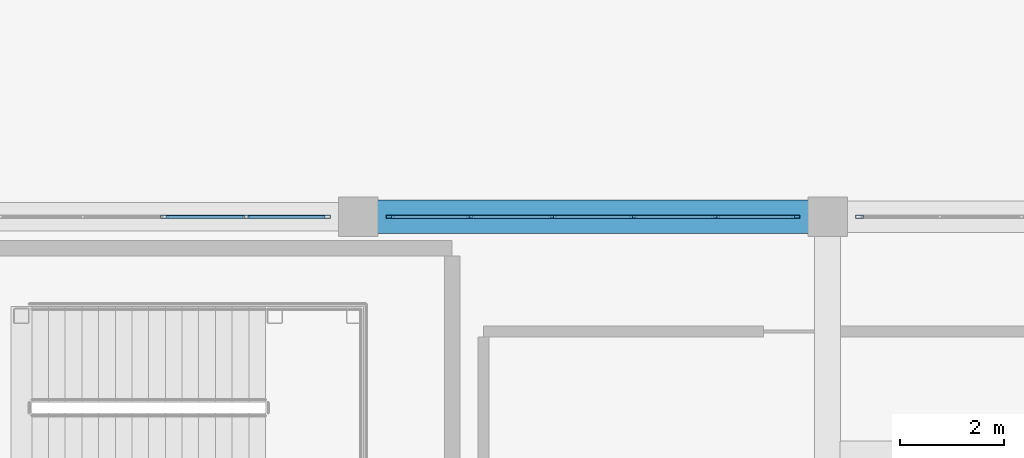
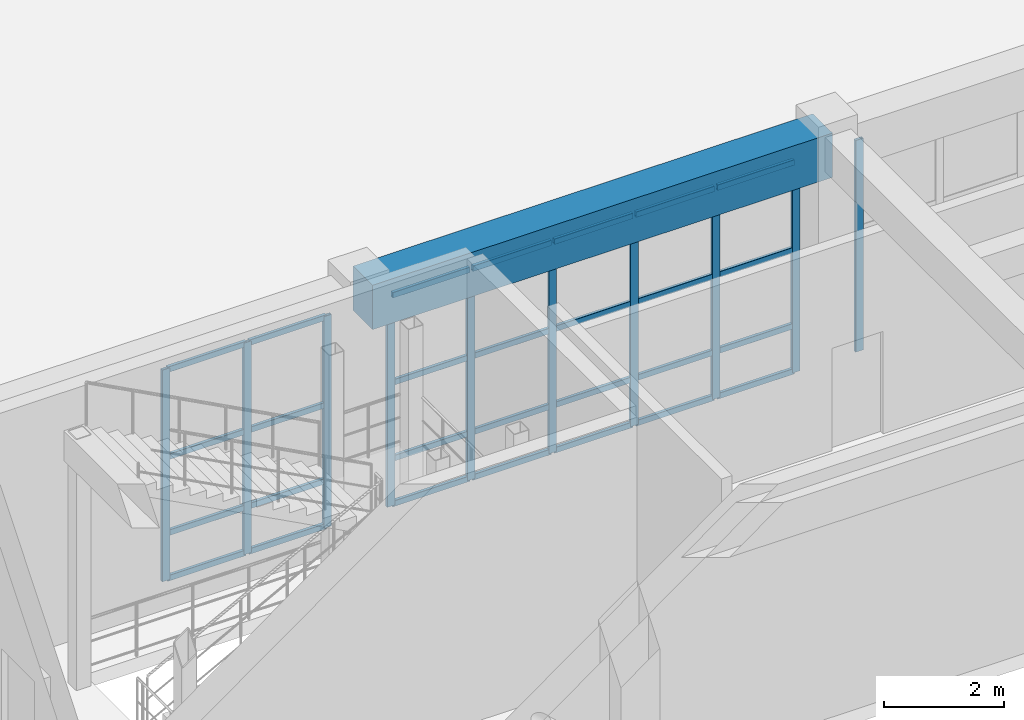
# One storey, part 28 of 128: 38 members, 1 beam, 3 elements without a shape of their own.
"""IFC4 building model written with IfcOpenShell, lengths in metres."""

from ifc_helpers import new_model, si_unit, direction, frame, origin, origin_2d, place, context, subcontext, project, spatial, rectangle, hollow_rectangle, extrude, material, material_profile, profile_set, type_object, element, aggregate, save


model = new_model("IFC4")

# Units and contexts
model_context = context("Model", 3, precision=1e-05, world=origin(), true_north=direction((0.0, 1.0)))
body_context = subcontext(model_context, "Body", "Model", "MODEL_VIEW")
ifc_project = project(units=[si_unit("LENGTHUNIT", "METRE"), si_unit("AREAUNIT", "SQUARE_METRE"), si_unit("VOLUMEUNIT", "CUBIC_METRE"), si_unit("PLANEANGLEUNIT", "RADIAN"), si_unit("MASSUNIT", "GRAM", prefix="KILO")], contexts=[model_context])

# Site, building, storey
site_placement = place(None, origin())
site = spatial("IfcSite", under=ifc_project, at=site_placement, CompositionType="ELEMENT")
building_placement = place(site_placement, origin())
building = spatial("IfcBuilding", under=site, at=building_placement, Name="Miravela Opera House", CompositionType="ELEMENT")
storey_placement = place(building_placement, origin())
storey = spatial("IfcBuildingStorey", under=building, at=storey_placement, Name="L00", CompositionType="ELEMENT", Elevation=0.0)

# Curtain wall, members
ifc_material_1 = material(Name="Anodised architectural bronze aluminium 6063-T6", Category="aluminium")
curtain_wall_type = type_object("IfcCurtainWallType", Name="ARC-CW-06", PredefinedType="NOTDEFINED", material=ifc_material_1)
curtain_wall_1_placement = place(storey_placement, origin())
curtain_wall_1 = element("IfcCurtainWall", 1, at=curtain_wall_1_placement, inside=storey, type_object=curtain_wall_type, Name="Courtyard Arcade Curtain Wall CW-L00-114", PredefinedType="NOTDEFINED")
ifc_material_profile_1 = material_profile(ifc_material_1, hollow_rectangle(XDim=0.06005859375, YDim=0.14990234375, WallThickness=0.00390625, InnerFilletRadius=0.001953125, OuterFilletRadius=0.00390625, at=origin_2d()), Name="CWM-60X150")
ifc_profile_set_1 = profile_set([ifc_material_profile_1])
member_type_1 = type_object("IfcMemberType", Name="ARC-CWM-150", PredefinedType="MULLION", material=ifc_profile_set_1)
member_1_placement = place(storey_placement, frame((32.283935546875, 9.0, 0.0), z_axis=(0.0, 0.0, 1.0), x_axis=(0.0, 1.0, 0.0)))
member_1 = element("IfcMember", 2, at=member_1_placement, type_object=member_type_1, Name="CW-06 mullion 4", PredefinedType="MULLION", context=body_context, shape_type="SweptSolid", body=[
    extrude(hollow_rectangle(XDim=0.06005859375, YDim=0.14990234375, WallThickness=0.00390625, InnerFilletRadius=0.001953125, OuterFilletRadius=0.00390625, at=origin_2d()), origin(), (0.0, 0.0, 1.0), 4.300048828125),
])
member_2_placement = place(storey_placement, frame((33.85205078125, 9.0, 0.0), z_axis=(0.0, 0.0, 1.0), x_axis=(0.0, 1.0, 0.0)))
member_2 = element("IfcMember", 3, at=member_2_placement, type_object=member_type_1, Name="CW-06 mullion 5", PredefinedType="MULLION", context=body_context, shape_type="SweptSolid", body=[
    extrude(hollow_rectangle(XDim=0.06005859375, YDim=0.14990234375, WallThickness=0.00390625, InnerFilletRadius=0.001953125, OuterFilletRadius=0.00390625, at=origin_2d()), origin(), (0.0, 0.0, 1.0), 4.300048828125),
])
member_3_placement = place(storey_placement, frame((35.389892578125, 9.0, 0.0), z_axis=(0.0, 0.0, 1.0), x_axis=(0.0, 1.0, 0.0)))
member_3 = element("IfcMember", 4, at=member_3_placement, type_object=member_type_1, Name="CW-06 mullion 6", PredefinedType="MULLION", context=body_context, shape_type="SweptSolid", body=[
    extrude(hollow_rectangle(XDim=0.06005859375, YDim=0.14990234375, WallThickness=0.00390625, InnerFilletRadius=0.001953125, OuterFilletRadius=0.00390625, at=origin_2d()), origin(), (0.0, 0.0, 1.0), 4.300048828125),
])

curtain_wall_2_placement = place(storey_placement, origin())
curtain_wall_2 = element("IfcCurtainWall", 5, at=curtain_wall_2_placement, inside=storey, type_object=curtain_wall_type, Name="Courtyard Arcade Curtain Wall CW-L00-116", PredefinedType="NOTDEFINED")
member_4_placement = place(storey_placement, frame((36.610107421875, 9.0, 0.0), z_axis=(0.0, 0.0, 1.0), x_axis=(0.0, 1.0, 0.0)))
member_4 = element("IfcMember", 6, at=member_4_placement, type_object=member_type_1, Name="CW-06 mullion 1", PredefinedType="MULLION", context=body_context, shape_type="SweptSolid", body=[
    extrude(hollow_rectangle(XDim=0.06005859375, YDim=0.14990234375, WallThickness=0.00390625, InnerFilletRadius=0.001953125, OuterFilletRadius=0.00390625, at=origin_2d()), origin(), (0.0, 0.0, 1.0), 4.300048828125),
])
member_5_placement = place(storey_placement, frame((38.14794921875, 9.0, 0.0), z_axis=(0.0, 0.0, 1.0), x_axis=(0.0, 1.0, 0.0)))
member_5 = element("IfcMember", 7, at=member_5_placement, type_object=member_type_1, Name="CW-06 mullion 2", PredefinedType="MULLION", context=body_context, shape_type="SweptSolid", body=[
    extrude(hollow_rectangle(XDim=0.06005859375, YDim=0.14990234375, WallThickness=0.00390625, InnerFilletRadius=0.001953125, OuterFilletRadius=0.00390625, at=origin_2d()), origin(), (0.0, 0.0, 1.0), 4.300048828125),
])
member_6_placement = place(storey_placement, frame((39.716064453125, 9.0, 0.0), z_axis=(0.0, 0.0, 1.0), x_axis=(0.0, 1.0, 0.0)))
member_6 = element("IfcMember", 8, at=member_6_placement, type_object=member_type_1, Name="CW-06 mullion 3", PredefinedType="MULLION", context=body_context, shape_type="SweptSolid", body=[
    extrude(hollow_rectangle(XDim=0.06005859375, YDim=0.14990234375, WallThickness=0.00390625, InnerFilletRadius=0.001953125, OuterFilletRadius=0.00390625, at=origin_2d()), origin(), (0.0, 0.0, 1.0), 4.300048828125),
])
member_7_placement = place(storey_placement, frame((41.283935546875, 9.0, 0.0), z_axis=(0.0, 0.0, 1.0), x_axis=(0.0, 1.0, 0.0)))
member_7 = element("IfcMember", 9, at=member_7_placement, type_object=member_type_1, Name="CW-06 mullion 4", PredefinedType="MULLION", context=body_context, shape_type="SweptSolid", body=[
    extrude(hollow_rectangle(XDim=0.06005859375, YDim=0.14990234375, WallThickness=0.00390625, InnerFilletRadius=0.001953125, OuterFilletRadius=0.00390625, at=origin_2d()), origin(), (0.0, 0.0, 1.0), 4.300048828125),
])
member_8_placement = place(storey_placement, frame((42.85205078125, 9.0, 0.0), z_axis=(0.0, 0.0, 1.0), x_axis=(0.0, 1.0, 0.0)))
member_8 = element("IfcMember", 10, at=member_8_placement, type_object=member_type_1, Name="CW-06 mullion 5", PredefinedType="MULLION", context=body_context, shape_type="SweptSolid", body=[
    extrude(hollow_rectangle(XDim=0.06005859375, YDim=0.14990234375, WallThickness=0.00390625, InnerFilletRadius=0.001953125, OuterFilletRadius=0.00390625, at=origin_2d()), origin(), (0.0, 0.0, 1.0), 4.300048828125),
])
member_9_placement = place(storey_placement, frame((44.389892578125, 9.0, 0.0), z_axis=(0.0, 0.0, 1.0), x_axis=(0.0, 1.0, 0.0)))
member_9 = element("IfcMember", 11, at=member_9_placement, type_object=member_type_1, Name="CW-06 mullion 6", PredefinedType="MULLION", context=body_context, shape_type="SweptSolid", body=[
    extrude(hollow_rectangle(XDim=0.06005859375, YDim=0.14990234375, WallThickness=0.00390625, InnerFilletRadius=0.001953125, OuterFilletRadius=0.00390625, at=origin_2d()), origin(), (0.0, 0.0, 1.0), 4.300048828125),
])

# Curtain wall, member
curtain_wall_3_placement = place(storey_placement, origin())
curtain_wall_3 = element("IfcCurtainWall", 12, at=curtain_wall_3_placement, inside=storey, type_object=curtain_wall_type, Name="Courtyard Arcade Curtain Wall CW-L00-118", PredefinedType="NOTDEFINED")
member_10_placement = place(storey_placement, frame((45.610107421875, 9.0, 0.0), z_axis=(0.0, 0.0, 1.0), x_axis=(0.0, 1.0, 0.0)))
member_10 = element("IfcMember", 13, at=member_10_placement, type_object=member_type_1, Name="CW-06 mullion 1", PredefinedType="MULLION", context=body_context, shape_type="SweptSolid", body=[
    extrude(hollow_rectangle(XDim=0.06005859375, YDim=0.14990234375, WallThickness=0.00390625, InnerFilletRadius=0.001953125, OuterFilletRadius=0.00390625, at=origin_2d()), origin(), (0.0, 0.0, 1.0), 4.300048828125),
])
aggregate(curtain_wall_3, [member_10])

# Member
ifc_material_profile_2 = material_profile(ifc_material_1, hollow_rectangle(XDim=0.06005859375, YDim=0.114990234375, WallThickness=0.00390625, InnerFilletRadius=0.001953125, OuterFilletRadius=0.00390625, at=origin_2d()), Name="CWT-60X115")
ifc_profile_set_2 = profile_set([ifc_material_profile_2])
member_type_2 = type_object("IfcMemberType", Name="ARC-CWT-115", PredefinedType="USERDEFINED", material=ifc_profile_set_2)
member_11_placement = place(storey_placement, frame((32.31396484375, 9.0, 0.030029296875), z_axis=(1.0, 0.0, 0.0), x_axis=(0.0, 1.0, 0.0)))
member_11 = element("IfcMember", 14, at=member_11_placement, type_object=member_type_2, Name="CW-06 transom 4.1", ObjectType="TRANSOM", PredefinedType="USERDEFINED", context=body_context, shape_type="SweptSolid", body=[
    extrude(hollow_rectangle(XDim=0.06005859375, YDim=0.114990234375, WallThickness=0.00390625, InnerFilletRadius=0.001953125, OuterFilletRadius=0.00390625, at=origin_2d()), origin(), (0.0, 0.0, 1.0), 1.508056640625),
])

member_12_placement = place(storey_placement, frame((32.31396484375, 9.0, 0.949951171875), z_axis=(1.0, 0.0, 0.0), x_axis=(0.0, 1.0, 0.0)))
member_12 = element("IfcMember", 15, at=member_12_placement, type_object=member_type_2, Name="CW-06 transom 4.2", ObjectType="TRANSOM", PredefinedType="USERDEFINED", context=body_context, shape_type="SweptSolid", body=[
    extrude(hollow_rectangle(XDim=0.06005859375, YDim=0.114990234375, WallThickness=0.00390625, InnerFilletRadius=0.001953125, OuterFilletRadius=0.00390625, at=origin_2d()), origin(), (0.0, 0.0, 1.0), 1.508056640625),
])

member_13_placement = place(storey_placement, frame((32.31396484375, 9.0, 2.493896484375), z_axis=(1.0, 0.0, 0.0), x_axis=(0.0, 1.0, 0.0)))
member_13 = element("IfcMember", 16, at=member_13_placement, type_object=member_type_2, Name="CW-06 transom 4.3", ObjectType="TRANSOM", PredefinedType="USERDEFINED", context=body_context, shape_type="SweptSolid", body=[
    extrude(hollow_rectangle(XDim=0.06005859375, YDim=0.114990234375, WallThickness=0.00390625, InnerFilletRadius=0.001953125, OuterFilletRadius=0.00390625, at=origin_2d()), origin(), (0.0, 0.0, 1.0), 1.508056640625),
])

member_14_placement = place(storey_placement, frame((32.31396484375, 9.0, 4.27001953125), z_axis=(1.0, 0.0, 0.0), x_axis=(0.0, 1.0, 0.0)))
member_14 = element("IfcMember", 17, at=member_14_placement, type_object=member_type_2, Name="CW-06 transom 4.4", ObjectType="TRANSOM", PredefinedType="USERDEFINED", context=body_context, shape_type="SweptSolid", body=[
    extrude(hollow_rectangle(XDim=0.06005859375, YDim=0.114990234375, WallThickness=0.00390625, InnerFilletRadius=0.001953125, OuterFilletRadius=0.00390625, at=origin_2d()), origin(), (0.0, 0.0, 1.0), 1.508056640625),
])

member_15_placement = place(storey_placement, frame((33.882080078125, 9.0, 0.030029296875), z_axis=(1.0, 0.0, 0.0), x_axis=(0.0, 1.0, 0.0)))
member_15 = element("IfcMember", 18, at=member_15_placement, type_object=member_type_2, Name="CW-06 transom 5.1", ObjectType="TRANSOM", PredefinedType="USERDEFINED", context=body_context, shape_type="SweptSolid", body=[
    extrude(hollow_rectangle(XDim=0.06005859375, YDim=0.114990234375, WallThickness=0.00390625, InnerFilletRadius=0.001953125, OuterFilletRadius=0.00390625, at=origin_2d()), origin(), (0.0, 0.0, 1.0), 1.47802734375),
])

member_16_placement = place(storey_placement, frame((33.882080078125, 9.0, 0.949951171875), z_axis=(1.0, 0.0, 0.0), x_axis=(0.0, 1.0, 0.0)))
member_16 = element("IfcMember", 19, at=member_16_placement, type_object=member_type_2, Name="CW-06 transom 5.2", ObjectType="TRANSOM", PredefinedType="USERDEFINED", context=body_context, shape_type="SweptSolid", body=[
    extrude(hollow_rectangle(XDim=0.06005859375, YDim=0.114990234375, WallThickness=0.00390625, InnerFilletRadius=0.001953125, OuterFilletRadius=0.00390625, at=origin_2d()), origin(), (0.0, 0.0, 1.0), 1.47802734375),
])

member_17_placement = place(storey_placement, frame((33.882080078125, 9.0, 2.493896484375), z_axis=(1.0, 0.0, 0.0), x_axis=(0.0, 1.0, 0.0)))
member_17 = element("IfcMember", 20, at=member_17_placement, type_object=member_type_2, Name="CW-06 transom 5.3", ObjectType="TRANSOM", PredefinedType="USERDEFINED", context=body_context, shape_type="SweptSolid", body=[
    extrude(hollow_rectangle(XDim=0.06005859375, YDim=0.114990234375, WallThickness=0.00390625, InnerFilletRadius=0.001953125, OuterFilletRadius=0.00390625, at=origin_2d()), origin(), (0.0, 0.0, 1.0), 1.47802734375),
])

member_18_placement = place(storey_placement, frame((33.882080078125, 9.0, 4.27001953125), z_axis=(1.0, 0.0, 0.0), x_axis=(0.0, 1.0, 0.0)))
member_18 = element("IfcMember", 21, at=member_18_placement, type_object=member_type_2, Name="CW-06 transom 5.4", ObjectType="TRANSOM", PredefinedType="USERDEFINED", context=body_context, shape_type="SweptSolid", body=[
    extrude(hollow_rectangle(XDim=0.06005859375, YDim=0.114990234375, WallThickness=0.00390625, InnerFilletRadius=0.001953125, OuterFilletRadius=0.00390625, at=origin_2d()), origin(), (0.0, 0.0, 1.0), 1.47802734375),
])

aggregate(curtain_wall_1, [member_1, member_2, member_3, member_11, member_12, member_13, member_14, member_15, member_16, member_17, member_18])

member_19_placement = place(storey_placement, frame((36.639892578125, 9.0, 0.030029296875), z_axis=(1.0, 0.0, 0.0), x_axis=(0.0, 1.0, 0.0)))
member_19 = element("IfcMember", 22, at=member_19_placement, type_object=member_type_2, Name="CW-06 transom 1.1", ObjectType="TRANSOM", PredefinedType="USERDEFINED", context=body_context, shape_type="SweptSolid", body=[
    extrude(hollow_rectangle(XDim=0.06005859375, YDim=0.114990234375, WallThickness=0.00390625, InnerFilletRadius=0.001953125, OuterFilletRadius=0.00390625, at=origin_2d()), origin(), (0.0, 0.0, 1.0), 1.47802734375),
])

member_20_placement = place(storey_placement, frame((36.639892578125, 9.0, 0.949951171875), z_axis=(1.0, 0.0, 0.0), x_axis=(0.0, 1.0, 0.0)))
member_20 = element("IfcMember", 23, at=member_20_placement, type_object=member_type_2, Name="CW-06 transom 1.2", ObjectType="TRANSOM", PredefinedType="USERDEFINED", context=body_context, shape_type="SweptSolid", body=[
    extrude(hollow_rectangle(XDim=0.06005859375, YDim=0.114990234375, WallThickness=0.00390625, InnerFilletRadius=0.001953125, OuterFilletRadius=0.00390625, at=origin_2d()), origin(), (0.0, 0.0, 1.0), 1.47802734375),
])

member_21_placement = place(storey_placement, frame((36.639892578125, 9.0, 2.493896484375), z_axis=(1.0, 0.0, 0.0), x_axis=(0.0, 1.0, 0.0)))
member_21 = element("IfcMember", 24, at=member_21_placement, type_object=member_type_2, Name="CW-06 transom 1.3", ObjectType="TRANSOM", PredefinedType="USERDEFINED", context=body_context, shape_type="SweptSolid", body=[
    extrude(hollow_rectangle(XDim=0.06005859375, YDim=0.114990234375, WallThickness=0.00390625, InnerFilletRadius=0.001953125, OuterFilletRadius=0.00390625, at=origin_2d()), origin(), (0.0, 0.0, 1.0), 1.47802734375),
])

member_22_placement = place(storey_placement, frame((36.639892578125, 9.0, 4.27001953125), z_axis=(1.0, 0.0, 0.0), x_axis=(0.0, 1.0, 0.0)))
member_22 = element("IfcMember", 25, at=member_22_placement, type_object=member_type_2, Name="CW-06 transom 1.4", ObjectType="TRANSOM", PredefinedType="USERDEFINED", context=body_context, shape_type="SweptSolid", body=[
    extrude(hollow_rectangle(XDim=0.06005859375, YDim=0.114990234375, WallThickness=0.00390625, InnerFilletRadius=0.001953125, OuterFilletRadius=0.00390625, at=origin_2d()), origin(), (0.0, 0.0, 1.0), 1.47802734375),
])

member_23_placement = place(storey_placement, frame((38.177978515625, 9.0, 0.030029296875), z_axis=(1.0, 0.0, 0.0), x_axis=(0.0, 1.0, 0.0)))
member_23 = element("IfcMember", 26, at=member_23_placement, type_object=member_type_2, Name="CW-06 transom 2.1", ObjectType="TRANSOM", PredefinedType="USERDEFINED", context=body_context, shape_type="SweptSolid", body=[
    extrude(hollow_rectangle(XDim=0.06005859375, YDim=0.114990234375, WallThickness=0.00390625, InnerFilletRadius=0.001953125, OuterFilletRadius=0.00390625, at=origin_2d()), origin(), (0.0, 0.0, 1.0), 1.508056640625),
])

member_24_placement = place(storey_placement, frame((38.177978515625, 9.0, 0.949951171875), z_axis=(1.0, 0.0, 0.0), x_axis=(0.0, 1.0, 0.0)))
member_24 = element("IfcMember", 27, at=member_24_placement, type_object=member_type_2, Name="CW-06 transom 2.2", ObjectType="TRANSOM", PredefinedType="USERDEFINED", context=body_context, shape_type="SweptSolid", body=[
    extrude(hollow_rectangle(XDim=0.06005859375, YDim=0.114990234375, WallThickness=0.00390625, InnerFilletRadius=0.001953125, OuterFilletRadius=0.00390625, at=origin_2d()), origin(), (0.0, 0.0, 1.0), 1.508056640625),
])

member_25_placement = place(storey_placement, frame((38.177978515625, 9.0, 2.493896484375), z_axis=(1.0, 0.0, 0.0), x_axis=(0.0, 1.0, 0.0)))
member_25 = element("IfcMember", 28, at=member_25_placement, type_object=member_type_2, Name="CW-06 transom 2.3", ObjectType="TRANSOM", PredefinedType="USERDEFINED", context=body_context, shape_type="SweptSolid", body=[
    extrude(hollow_rectangle(XDim=0.06005859375, YDim=0.114990234375, WallThickness=0.00390625, InnerFilletRadius=0.001953125, OuterFilletRadius=0.00390625, at=origin_2d()), origin(), (0.0, 0.0, 1.0), 1.508056640625),
])

member_26_placement = place(storey_placement, frame((38.177978515625, 9.0, 4.27001953125), z_axis=(1.0, 0.0, 0.0), x_axis=(0.0, 1.0, 0.0)))
member_26 = element("IfcMember", 29, at=member_26_placement, type_object=member_type_2, Name="CW-06 transom 2.4", ObjectType="TRANSOM", PredefinedType="USERDEFINED", context=body_context, shape_type="SweptSolid", body=[
    extrude(hollow_rectangle(XDim=0.06005859375, YDim=0.114990234375, WallThickness=0.00390625, InnerFilletRadius=0.001953125, OuterFilletRadius=0.00390625, at=origin_2d()), origin(), (0.0, 0.0, 1.0), 1.508056640625),
])

member_27_placement = place(storey_placement, frame((39.74609375, 9.0, 0.030029296875), z_axis=(1.0, 0.0, 0.0), x_axis=(0.0, 1.0, 0.0)))
member_27 = element("IfcMember", 30, at=member_27_placement, type_object=member_type_2, Name="CW-06 transom 3.1", ObjectType="TRANSOM", PredefinedType="USERDEFINED", context=body_context, shape_type="SweptSolid", body=[
    extrude(hollow_rectangle(XDim=0.06005859375, YDim=0.114990234375, WallThickness=0.00390625, InnerFilletRadius=0.001953125, OuterFilletRadius=0.00390625, at=origin_2d()), origin(), (0.0, 0.0, 1.0), 1.5078125),
])

member_28_placement = place(storey_placement, frame((39.74609375, 9.0, 0.949951171875), z_axis=(1.0, 0.0, 0.0), x_axis=(0.0, 1.0, 0.0)))
member_28 = element("IfcMember", 31, at=member_28_placement, type_object=member_type_2, Name="CW-06 transom 3.2", ObjectType="TRANSOM", PredefinedType="USERDEFINED", context=body_context, shape_type="SweptSolid", body=[
    extrude(hollow_rectangle(XDim=0.06005859375, YDim=0.114990234375, WallThickness=0.00390625, InnerFilletRadius=0.001953125, OuterFilletRadius=0.00390625, at=origin_2d()), origin(), (0.0, 0.0, 1.0), 1.5078125),
])

member_29_placement = place(storey_placement, frame((39.74609375, 9.0, 2.493896484375), z_axis=(1.0, 0.0, 0.0), x_axis=(0.0, 1.0, 0.0)))
member_29 = element("IfcMember", 32, at=member_29_placement, type_object=member_type_2, Name="CW-06 transom 3.3", ObjectType="TRANSOM", PredefinedType="USERDEFINED", context=body_context, shape_type="SweptSolid", body=[
    extrude(hollow_rectangle(XDim=0.06005859375, YDim=0.114990234375, WallThickness=0.00390625, InnerFilletRadius=0.001953125, OuterFilletRadius=0.00390625, at=origin_2d()), origin(), (0.0, 0.0, 1.0), 1.5078125),
])

member_30_placement = place(storey_placement, frame((39.74609375, 9.0, 4.27001953125), z_axis=(1.0, 0.0, 0.0), x_axis=(0.0, 1.0, 0.0)))
member_30 = element("IfcMember", 33, at=member_30_placement, type_object=member_type_2, Name="CW-06 transom 3.4", ObjectType="TRANSOM", PredefinedType="USERDEFINED", context=body_context, shape_type="SweptSolid", body=[
    extrude(hollow_rectangle(XDim=0.06005859375, YDim=0.114990234375, WallThickness=0.00390625, InnerFilletRadius=0.001953125, OuterFilletRadius=0.00390625, at=origin_2d()), origin(), (0.0, 0.0, 1.0), 1.5078125),
])

member_31_placement = place(storey_placement, frame((41.31396484375, 9.0, 0.030029296875), z_axis=(1.0, 0.0, 0.0), x_axis=(0.0, 1.0, 0.0)))
member_31 = element("IfcMember", 34, at=member_31_placement, type_object=member_type_2, Name="CW-06 transom 4.1", ObjectType="TRANSOM", PredefinedType="USERDEFINED", context=body_context, shape_type="SweptSolid", body=[
    extrude(hollow_rectangle(XDim=0.06005859375, YDim=0.114990234375, WallThickness=0.00390625, InnerFilletRadius=0.001953125, OuterFilletRadius=0.00390625, at=origin_2d()), origin(), (0.0, 0.0, 1.0), 1.508056640625),
])

member_32_placement = place(storey_placement, frame((41.31396484375, 9.0, 0.949951171875), z_axis=(1.0, 0.0, 0.0), x_axis=(0.0, 1.0, 0.0)))
member_32 = element("IfcMember", 35, at=member_32_placement, type_object=member_type_2, Name="CW-06 transom 4.2", ObjectType="TRANSOM", PredefinedType="USERDEFINED", context=body_context, shape_type="SweptSolid", body=[
    extrude(hollow_rectangle(XDim=0.06005859375, YDim=0.114990234375, WallThickness=0.00390625, InnerFilletRadius=0.001953125, OuterFilletRadius=0.00390625, at=origin_2d()), origin(), (0.0, 0.0, 1.0), 1.508056640625),
])

member_33_placement = place(storey_placement, frame((41.31396484375, 9.0, 2.493896484375), z_axis=(1.0, 0.0, 0.0), x_axis=(0.0, 1.0, 0.0)))
member_33 = element("IfcMember", 36, at=member_33_placement, type_object=member_type_2, Name="CW-06 transom 4.3", ObjectType="TRANSOM", PredefinedType="USERDEFINED", context=body_context, shape_type="SweptSolid", body=[
    extrude(hollow_rectangle(XDim=0.06005859375, YDim=0.114990234375, WallThickness=0.00390625, InnerFilletRadius=0.001953125, OuterFilletRadius=0.00390625, at=origin_2d()), origin(), (0.0, 0.0, 1.0), 1.508056640625),
])

member_34_placement = place(storey_placement, frame((41.31396484375, 9.0, 4.27001953125), z_axis=(1.0, 0.0, 0.0), x_axis=(0.0, 1.0, 0.0)))
member_34 = element("IfcMember", 37, at=member_34_placement, type_object=member_type_2, Name="CW-06 transom 4.4", ObjectType="TRANSOM", PredefinedType="USERDEFINED", context=body_context, shape_type="SweptSolid", body=[
    extrude(hollow_rectangle(XDim=0.06005859375, YDim=0.114990234375, WallThickness=0.00390625, InnerFilletRadius=0.001953125, OuterFilletRadius=0.00390625, at=origin_2d()), origin(), (0.0, 0.0, 1.0), 1.508056640625),
])

member_35_placement = place(storey_placement, frame((42.882080078125, 9.0, 0.030029296875), z_axis=(1.0, 0.0, 0.0), x_axis=(0.0, 1.0, 0.0)))
member_35 = element("IfcMember", 38, at=member_35_placement, type_object=member_type_2, Name="CW-06 transom 5.1", ObjectType="TRANSOM", PredefinedType="USERDEFINED", context=body_context, shape_type="SweptSolid", body=[
    extrude(hollow_rectangle(XDim=0.06005859375, YDim=0.114990234375, WallThickness=0.00390625, InnerFilletRadius=0.001953125, OuterFilletRadius=0.00390625, at=origin_2d()), origin(), (0.0, 0.0, 1.0), 1.47802734375),
])

member_36_placement = place(storey_placement, frame((42.882080078125, 9.0, 0.949951171875), z_axis=(1.0, 0.0, 0.0), x_axis=(0.0, 1.0, 0.0)))
member_36 = element("IfcMember", 39, at=member_36_placement, type_object=member_type_2, Name="CW-06 transom 5.2", ObjectType="TRANSOM", PredefinedType="USERDEFINED", context=body_context, shape_type="SweptSolid", body=[
    extrude(hollow_rectangle(XDim=0.06005859375, YDim=0.114990234375, WallThickness=0.00390625, InnerFilletRadius=0.001953125, OuterFilletRadius=0.00390625, at=origin_2d()), origin(), (0.0, 0.0, 1.0), 1.47802734375),
])

member_37_placement = place(storey_placement, frame((42.882080078125, 9.0, 2.493896484375), z_axis=(1.0, 0.0, 0.0), x_axis=(0.0, 1.0, 0.0)))
member_37 = element("IfcMember", 40, at=member_37_placement, type_object=member_type_2, Name="CW-06 transom 5.3", ObjectType="TRANSOM", PredefinedType="USERDEFINED", context=body_context, shape_type="SweptSolid", body=[
    extrude(hollow_rectangle(XDim=0.06005859375, YDim=0.114990234375, WallThickness=0.00390625, InnerFilletRadius=0.001953125, OuterFilletRadius=0.00390625, at=origin_2d()), origin(), (0.0, 0.0, 1.0), 1.47802734375),
])

member_38_placement = place(storey_placement, frame((42.882080078125, 9.0, 4.27001953125), z_axis=(1.0, 0.0, 0.0), x_axis=(0.0, 1.0, 0.0)))
member_38 = element("IfcMember", 41, at=member_38_placement, type_object=member_type_2, Name="CW-06 transom 5.4", ObjectType="TRANSOM", PredefinedType="USERDEFINED", context=body_context, shape_type="SweptSolid", body=[
    extrude(hollow_rectangle(XDim=0.06005859375, YDim=0.114990234375, WallThickness=0.00390625, InnerFilletRadius=0.001953125, OuterFilletRadius=0.00390625, at=origin_2d()), origin(), (0.0, 0.0, 1.0), 1.47802734375),
])

aggregate(curtain_wall_2, [member_4, member_5, member_6, member_7, member_8, member_9, member_19, member_20, member_21, member_22, member_23, member_24, member_25, member_26, member_27, member_28, member_29, member_30, member_31, member_32, member_33, member_34, member_35, member_36, member_37, member_38])

# Beam
ifc_material_2 = material(Name="Concrete C40/50", Category="concrete")
ifc_material_profile_3 = material_profile(ifc_material_2, rectangle(XDim=0.64990234375, YDim=0.89990234375, at=origin_2d()), Name="RC-BM-650X900")
ifc_profile_set_3 = profile_set([ifc_material_profile_3])
beam_type = type_object("IfcBeamType", Name="STR-BM-RC650X900", PredefinedType="BEAM", material=ifc_profile_set_3)
beam_placement = place(storey_placement, frame((36.080078125, 9.0, 4.39990234375), z_axis=(1.0, 0.0, 0.0), x_axis=(0.0, 1.0, 0.0)))
element("IfcBeam", 42, at=beam_placement, inside=storey, type_object=beam_type, Name="Floor Girder L00 5-6/B", PredefinedType="BEAM", context=body_context, shape_type="SweptSolid", body=[
    extrude(rectangle(XDim=0.64990234375, YDim=0.89990234375, at=origin_2d()), origin(), (0.0, 0.0, 1.0), 8.83984375),
])

save(model, "model.ifc")
